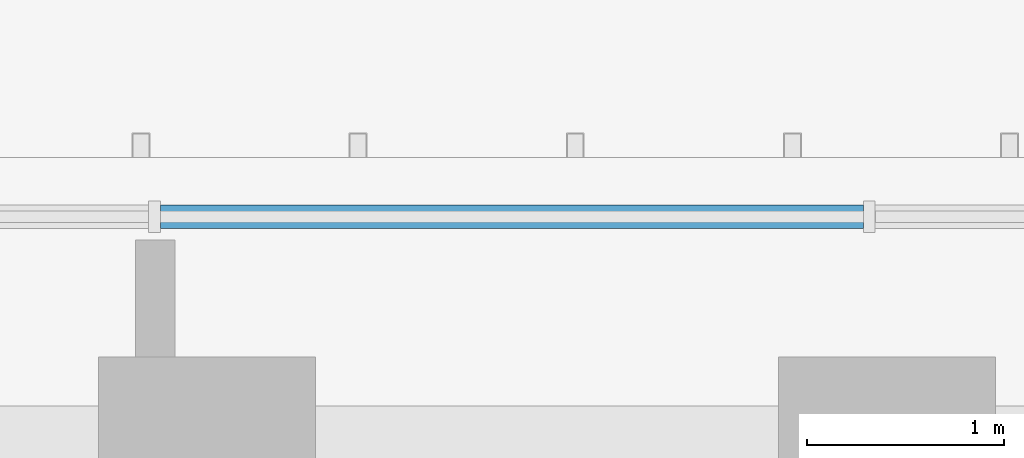
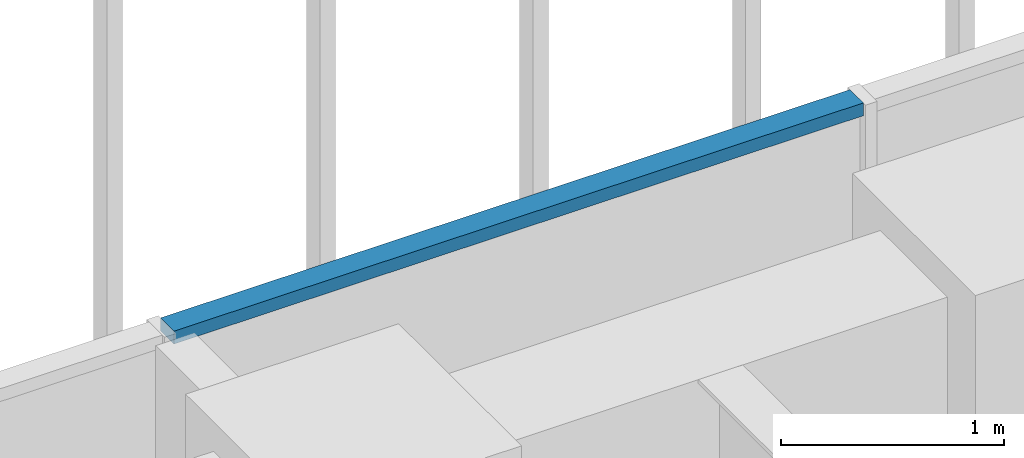
# One storey, part 79 of 127: 1 member, 1 element without a shape of its own.
"""IFC4 building model written with IfcOpenShell, lengths in metres."""

from ifc_helpers import new_model, si_unit, direction, frame, origin, origin_2d, place, context, subcontext, project, spatial, rectangle, extrude, material, material_profile, profile_set, type_object, element, aggregate, save


model = new_model("IFC4")

# Units and contexts
model_context = context("Model", 3, precision=1e-05, world=origin(), true_north=direction((0.0, 1.0)))
body_context = subcontext(model_context, "Body", "Model", "MODEL_VIEW")
ifc_project = project(units=[si_unit("LENGTHUNIT", "METRE"), si_unit("AREAUNIT", "SQUARE_METRE"), si_unit("VOLUMEUNIT", "CUBIC_METRE"), si_unit("PLANEANGLEUNIT", "RADIAN"), si_unit("MASSUNIT", "GRAM", prefix="KILO")], contexts=[model_context])

# Site, building, storey
site_placement = place(None, origin())
site = spatial("IfcSite", under=ifc_project, at=site_placement, CompositionType="ELEMENT")
building_placement = place(site_placement, origin())
building = spatial("IfcBuilding", under=site, at=building_placement, Name="Sandreach Pilgrim Tower", CompositionType="ELEMENT")
storey_placement = place(building_placement, frame((0.0, 0.0, 257.0)))
storey = spatial("IfcBuildingStorey", under=building, at=storey_placement, Name="L64", CompositionType="ELEMENT", Elevation=257.0)

# Curtain wall, member
ifc_material_1 = material(Name="Aluminium framed curtain wall", Category="aluminium")
curtain_wall_type = type_object("IfcCurtainWallType", Name="Suite tower curtain wall", PredefinedType="NOTDEFINED", material=ifc_material_1)
curtain_wall_placement = place(storey_placement, origin())
curtain_wall = element("IfcCurtainWall", 1, at=curtain_wall_placement, inside=storey, type_object=curtain_wall_type, Name="CW-4 L64 N", PredefinedType="NOTDEFINED")
ifc_material_2 = material(Name="Aluminium extrusion", Category="aluminium")
ifc_material_profile = material_profile(ifc_material_2, rectangle(XDim=0.1201171875, YDim=0.070068359375, at=origin_2d()), Name="CW-4T 120X70")
ifc_profile_set = profile_set([ifc_material_profile], Name="Aluminium extrusion")
member_type = type_object("IfcMemberType", Name="CW-4 transom", PredefinedType="USERDEFINED", material=ifc_profile_set)
member_placement = place(storey_placement, frame((-5.40283203125, 19.826416015625, 3.60498046875), z_axis=(1.0, 0.0, 0.0), x_axis=(0.0, 1.0, 0.0)))
member = element("IfcMember", 2, at=member_placement, type_object=member_type, Name="CW-4 head transom 4", ObjectType="TRANSOM", PredefinedType="USERDEFINED", context=body_context, shape_type="SweptSolid", body=[
    extrude(rectangle(XDim=0.1201171875, YDim=0.070068359375, at=origin_2d()), origin(), (0.0, 0.0, 1.0), 3.56201171875),
])
aggregate(curtain_wall, [member])

save(model, "model.ifc")
